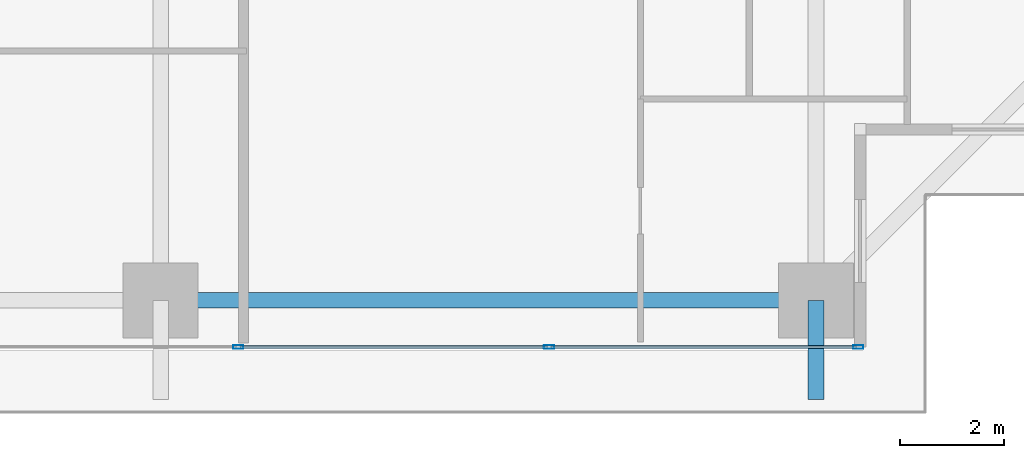
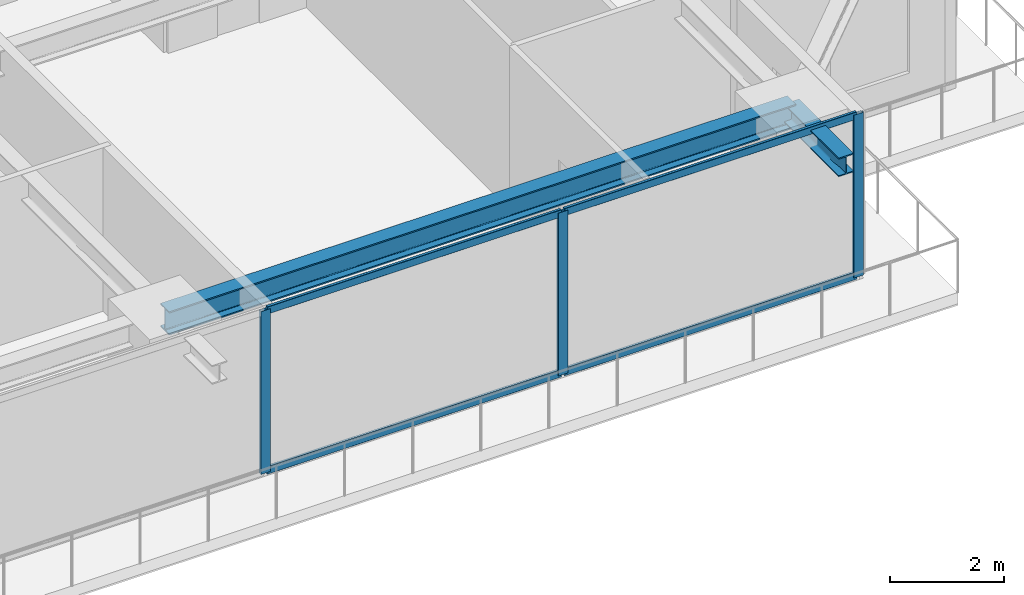
# One storey, part 10 of 37: 7 members, 2 beams, 1 element without a shape of its own.
"""IFC4 building model written with IfcOpenShell, lengths in metres."""

from ifc_helpers import new_model, si_unit, direction, frame, origin, origin_2d, place, context, subcontext, project, spatial, hollow_rectangle, i_section, extrude, source, transform, mapped, material, layer, layer_set, material_profile, profile_set, type_object, element, aggregate, save


model = new_model("IFC4")

# Units and contexts
model_context = context("Model", 3, precision=1e-05, world=origin(), true_north=direction((0.0, 1.0)))
body_context = subcontext(model_context, "Body", "Model", "MODEL_VIEW")
ifc_project = project(units=[si_unit("LENGTHUNIT", "METRE"), si_unit("AREAUNIT", "SQUARE_METRE"), si_unit("VOLUMEUNIT", "CUBIC_METRE"), si_unit("PLANEANGLEUNIT", "RADIAN"), si_unit("MASSUNIT", "GRAM", prefix="KILO")], contexts=[model_context])

# Site, building, storey
site_placement = place(None, origin())
site = spatial("IfcSite", under=ifc_project, at=site_placement, CompositionType="ELEMENT")
building_placement = place(site_placement, origin())
building = spatial("IfcBuilding", under=site, at=building_placement, Name="Serunith Strait Residences", CompositionType="ELEMENT")
storey_placement = place(building_placement, frame((0.0, 0.0, 34.199951171875)))
storey = spatial("IfcBuildingStorey", under=building, at=storey_placement, Name="L07", CompositionType="ELEMENT", Elevation=34.199951171875)

# Beams
ifc_material_1 = material(Name="Steel S355J2", Category="steel")
ifc_material_profile_1 = material_profile(ifc_material_1, i_section(OverallWidth=0.300048828125, OverallDepth=0.5, WebThickness=0.014404296875, FlangeThickness=0.028076171875, FilletRadius=0.027099609375, at=origin_2d()), Name="HEB 500")
ifc_profile_set_1 = profile_set([ifc_material_profile_1], Name="Steel S355J2")
beam_type_1 = type_object("IfcBeamType", Name="BM-HEB500", PredefinedType="BEAM", material=ifc_profile_set_1)
shared_shape_1 = source(origin(), body_context, "Body", "SweptSolid", [
    extrude(i_section(OverallWidth=0.300048828125, OverallDepth=0.5, WebThickness=0.014404296875, FlangeThickness=0.028076171875, FilletRadius=0.027099609375, at=origin_2d()), origin(), (0.0, 0.0, 1.0), 12.650146484375),
])
beam_1_placement = place(storey_placement, frame((36.89990234375, 1.10009765625, 3.237060546875), z_axis=(1.0, 0.0, 0.0), x_axis=(0.0, 1.0, 0.0)))
element("IfcBeam", 1, at=beam_1_placement, inside=storey, type_object=beam_type_1, Name="L07 Perimeter Ring Beam 03", PredefinedType="BEAM", context=body_context, shape_type="MappedRepresentation", body=[
    mapped(shared_shape_1, transform((0.0, 0.0, 0.0), scale=1.0)),
])
ifc_material_profile_2 = material_profile(ifc_material_1, i_section(OverallWidth=0.300048828125, OverallDepth=0.39990234375, WebThickness=0.013427734375, FlangeThickness=0.02392578125, FilletRadius=0.027099609375, at=origin_2d()), Name="HEB 400")
ifc_profile_set_2 = profile_set([ifc_material_profile_2], Name="Steel S355J2")
beam_type_2 = type_object("IfcBeamType", Name="BM-HEB400", PredefinedType="BEAM", material=ifc_profile_set_2)
shared_shape_2 = source(origin(), body_context, "Body", "SweptSolid", [
    extrude(i_section(OverallWidth=0.300048828125, OverallDepth=0.39990234375, WebThickness=0.013427734375, FlangeThickness=0.02392578125, FilletRadius=0.027099609375, at=origin_2d()), origin(), (0.0, 0.0, 1.0), 1.91015625),
])
beam_2_placement = place(storey_placement, frame((49.550048828125, 1.10009765625, 3.257080078125), z_axis=(0.0, -1.0, 0.0), x_axis=(1.0, 0.0, 0.0)))
element("IfcBeam", 2, at=beam_2_placement, inside=storey, type_object=beam_type_2, Name="L08 Cantilevered Balcony Rib TC-S4", PredefinedType="BEAM", context=body_context, shape_type="MappedRepresentation", body=[
    mapped(shared_shape_2, transform((0.0, 0.0, 0.0), scale=1.0)),
])

# Curtain wall, members
ifc_material_2 = material(Name="Pale-Champagne Anodised Aluminium", Category="aluminium")
ifc_layer = layer(ifc_material_2, 0.199951171875, Name="Pale-Champagne Anodised Aluminium")
ifc_layer_set = layer_set([ifc_layer], Name="Pale-Champagne Anodised Aluminium")
curtain_wall_type = type_object("IfcCurtainWallType", Name="CW-SYS1", PredefinedType="NOTDEFINED", material=ifc_layer_set)
curtain_wall_placement = place(storey_placement, origin())
curtain_wall = element("IfcCurtainWall", 3, at=curtain_wall_placement, inside=storey, type_object=curtain_wall_type, Name="L07 S Unitised Fritted Curtain Wall", PredefinedType="NOTDEFINED")
ifc_material_profile_3 = material_profile(ifc_material_2, hollow_rectangle(XDim=0.070068359375, YDim=0.199951171875, WallThickness=0.00390625, InnerFilletRadius=0.006103515625, OuterFilletRadius=0.010009765625, at=origin_2d()), Name="ALU 200x70x4")
ifc_profile_set_3 = profile_set([ifc_material_profile_3], Name="Pale-Champagne Anodised Aluminium")
member_type_1 = type_object("IfcMemberType", Name="CW-SYS1-MULL", PredefinedType="MULLION", material=ifc_profile_set_3)
shared_shape_3 = source(origin(), body_context, "Body", "SweptSolid", [
    extrude(hollow_rectangle(XDim=0.070068359375, YDim=0.199951171875, WallThickness=0.00390625, InnerFilletRadius=0.006103515625, OuterFilletRadius=0.010009765625, at=origin_2d()), origin(), (0.0, 0.0, 1.0), 3.47509765625),
])
member_1_placement = place(storey_placement, frame((38.39990234375, 0.199951171875, 0.0), z_axis=(0.0, 0.0, 1.0), x_axis=(0.0, 1.0, 0.0)))
member_1 = element("IfcMember", 4, at=member_1_placement, type_object=member_type_1, Name="CW-1 mullion 5", PredefinedType="MULLION", context=body_context, shape_type="MappedRepresentation", body=[
    mapped(shared_shape_3, transform((0.0, 0.0, 0.0), scale=1.0)),
])
member_2_placement = place(storey_placement, frame((44.39990234375, 0.199951171875, 0.0), z_axis=(0.0, 0.0, 1.0), x_axis=(0.0, 1.0, 0.0)))
member_2 = element("IfcMember", 5, at=member_2_placement, type_object=member_type_1, Name="CW-1 mullion 6", PredefinedType="MULLION", context=body_context, shape_type="MappedRepresentation", body=[
    mapped(shared_shape_3, transform((0.0, 0.0, 0.0), scale=1.0)),
])
member_3_placement = place(storey_placement, frame((50.364990234375, 0.199951171875, 0.0), z_axis=(0.0, 0.0, 1.0), x_axis=(0.0, 1.0, 0.0)))
member_3 = element("IfcMember", 6, at=member_3_placement, type_object=member_type_1, Name="CW-1 mullion 7", PredefinedType="MULLION", context=body_context, shape_type="MappedRepresentation", body=[
    mapped(shared_shape_3, transform((0.0, 0.0, 0.0), scale=1.0)),
])
ifc_material_profile_4 = material_profile(ifc_material_2, hollow_rectangle(XDim=0.06005859375, YDim=0.159912109375, WallThickness=0.00341796875, InnerFilletRadius=0.00537109375, OuterFilletRadius=0.0087890625, at=origin_2d()), Name="ALU 160x60x3.5")
ifc_profile_set_4 = profile_set([ifc_material_profile_4], Name="Pale-Champagne Anodised Aluminium")
member_type_2 = type_object("IfcMemberType", Name="CW-SYS1-TRAN", PredefinedType="USERDEFINED", material=ifc_profile_set_4)
shared_shape_4 = source(origin(), body_context, "Body", "SweptSolid", [
    extrude(hollow_rectangle(XDim=0.06005859375, YDim=0.159912109375, WallThickness=0.00341796875, InnerFilletRadius=0.00537109375, OuterFilletRadius=0.0087890625, at=origin_2d()), origin(), (0.0, 0.0, 1.0), 5.89501953125),
])
member_4_placement = place(storey_placement, frame((44.43505859375, 0.199951171875, 0.030029296875), z_axis=(1.0, 0.0, 0.0), x_axis=(0.0, 1.0, 0.0)))
member_4 = element("IfcMember", 7, at=member_4_placement, type_object=member_type_2, Name="CW-1 transom 6.1", ObjectType="TRANSOM", PredefinedType="USERDEFINED", context=body_context, shape_type="MappedRepresentation", body=[
    mapped(shared_shape_4, transform((0.0, 0.0, 0.0), scale=1.0)),
])
member_5_placement = place(storey_placement, frame((44.43505859375, 0.199951171875, 3.445068359375), z_axis=(1.0, 0.0, 0.0), x_axis=(0.0, 1.0, 0.0)))
member_5 = element("IfcMember", 8, at=member_5_placement, type_object=member_type_2, Name="CW-1 transom 6.2", ObjectType="TRANSOM", PredefinedType="USERDEFINED", context=body_context, shape_type="MappedRepresentation", body=[
    mapped(shared_shape_4, transform((0.0, 0.0, 0.0), scale=1.0)),
])
shared_shape_5 = source(origin(), body_context, "Body", "SweptSolid", [
    extrude(hollow_rectangle(XDim=0.06005859375, YDim=0.159912109375, WallThickness=0.00341796875, InnerFilletRadius=0.00537109375, OuterFilletRadius=0.0087890625, at=origin_2d()), origin(), (0.0, 0.0, 1.0), 5.929931640625),
])
member_6_placement = place(storey_placement, frame((38.43505859375, 0.199951171875, 0.030029296875), z_axis=(1.0, 0.0, 0.0), x_axis=(0.0, 1.0, 0.0)))
member_6 = element("IfcMember", 9, at=member_6_placement, type_object=member_type_2, Name="CW-1 transom 5.1", ObjectType="TRANSOM", PredefinedType="USERDEFINED", context=body_context, shape_type="MappedRepresentation", body=[
    mapped(shared_shape_5, transform((0.0, 0.0, 0.0), scale=1.0)),
])
member_7_placement = place(storey_placement, frame((38.43505859375, 0.199951171875, 3.445068359375), z_axis=(1.0, 0.0, 0.0), x_axis=(0.0, 1.0, 0.0)))
member_7 = element("IfcMember", 10, at=member_7_placement, type_object=member_type_2, Name="CW-1 transom 5.2", ObjectType="TRANSOM", PredefinedType="USERDEFINED", context=body_context, shape_type="MappedRepresentation", body=[
    mapped(shared_shape_5, transform((0.0, 0.0, 0.0), scale=1.0)),
])
aggregate(curtain_wall, [member_1, member_2, member_3, member_6, member_7, member_4, member_5])

save(model, "model.ifc")
